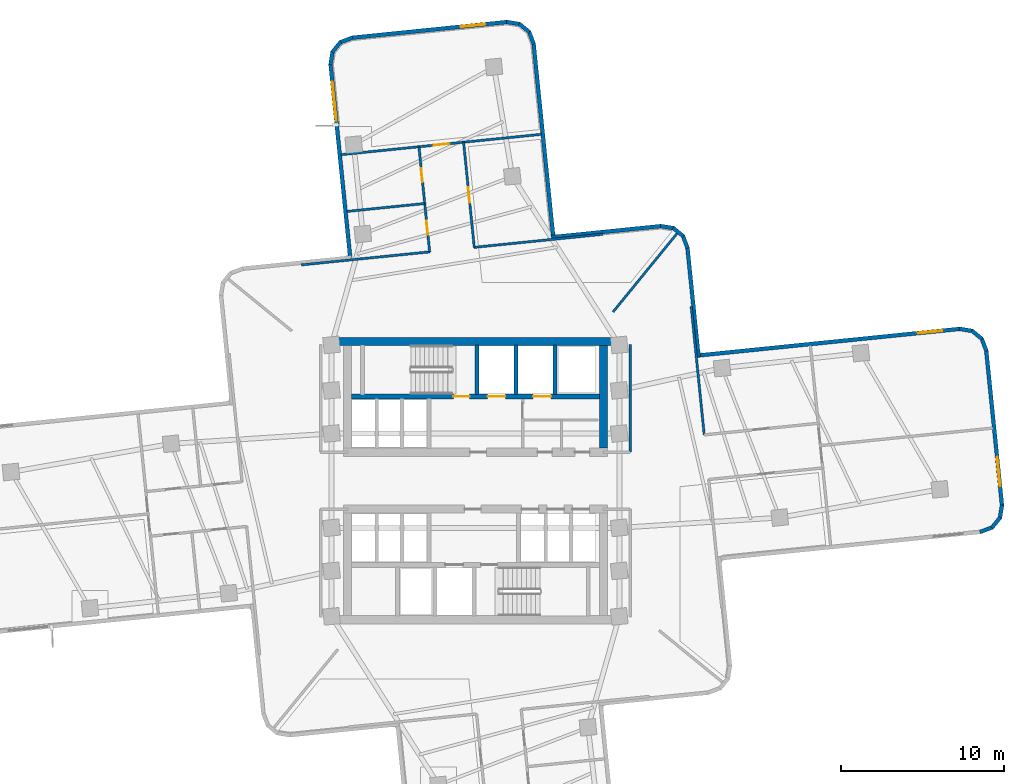
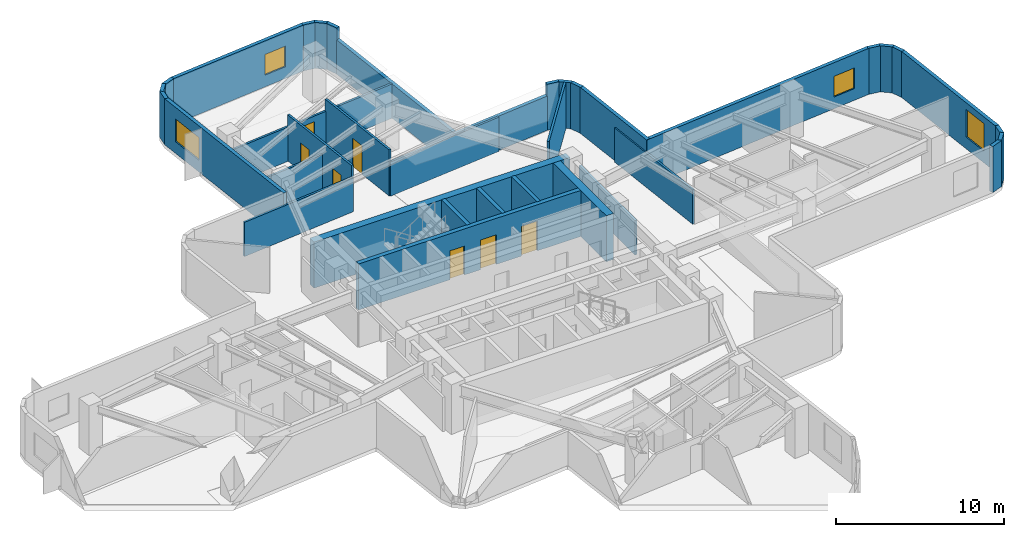
# One storey, part 5 of 9: 37 walls, 7 doors, 4 windows, 11 openings.
"""IFC4 building model written with IfcOpenShell, lengths in metres."""

from ifc_helpers import new_model, si_unit, direction, frame, frame_2d, origin, place, context, subcontext, project, spatial, rectangle, extrude, material, layer, layer_set, type_object, element, fill, save


model = new_model("IFC4")

# Units and contexts
model_context = context("Model", 3, precision=1e-05, world=origin(), true_north=direction((0.0, 1.0)))
body_context = subcontext(model_context, "Body", "Model", "MODEL_VIEW")
ifc_project = project(units=[si_unit("LENGTHUNIT", "METRE"), si_unit("AREAUNIT", "SQUARE_METRE"), si_unit("VOLUMEUNIT", "CUBIC_METRE"), si_unit("PLANEANGLEUNIT", "RADIAN"), si_unit("MASSUNIT", "GRAM", prefix="KILO")], contexts=[model_context])

# Site, building, storey
site_placement = place(None, origin())
site = spatial("IfcSite", under=ifc_project, at=site_placement, CompositionType="ELEMENT")
building_placement = place(site_placement, origin())
building = spatial("IfcBuilding", under=site, at=building_placement, Name="Solmarez Civic Tower", CompositionType="ELEMENT")
storey_placement = place(building_placement, frame((0.0, 0.0, 71.280029296875)))
storey = spatial("IfcBuildingStorey", under=building, at=storey_placement, Name="L18", CompositionType="ELEMENT", Elevation=71.280029296875)

# Walls
ifc_material_1 = material(Name="Concrete C60/75", Category="concrete")
ifc_layer_1 = layer(ifc_material_1, 0.5)
ifc_layer_set_1 = layer_set([ifc_layer_1], Name="Concrete C60/75")
wall_type_1 = type_object("IfcWallType", Name="WALL-CORE-500", PredefinedType="SHEAR", material=ifc_layer_set_1)
wall_1_placement = place(storey_placement, frame((-8.780029296875, 8.56005859375, 0.0), z_axis=(0.0, 0.0, 1.0), x_axis=(1.0, 0.0, 0.0)))
element("IfcWall", 1, at=wall_1_placement, inside=storey, type_object=wall_type_1, Name="L18 Split-Core Structural Wall NCW-N-L18", PredefinedType="SHEAR", context=body_context, shape_type="SweptSolid", body=[
    extrude(rectangle(XDim=17.56005859375, YDim=0.5, at=frame_2d((8.780029296875, 0.0))), origin(), (0.0, 0.0, 1.0), 3.340087890625),
])
wall_2_placement = place(storey_placement, frame((7.8701171875, 8.31005859375, 0.0), z_axis=(0.0, 0.0, 1.0), x_axis=(0.0, -1.0, 0.0)))
element("IfcWall", 2, at=wall_2_placement, inside=storey, type_object=wall_type_1, Name="L18 Split-Core Structural Wall NCW-E-L18", PredefinedType="SHEAR", context=body_context, shape_type="SweptSolid", body=[
    extrude(rectangle(XDim=6.31005859375, YDim=0.5, at=frame_2d((3.155029296875, 0.0))), origin(), (0.0, 0.0, 1.0), 3.340087890625),
])

# Wall, opening, window
ifc_material_2 = material(Name="Precast concrete C40/50", Category="concrete")
ifc_layer_2 = layer(ifc_material_2, 0.239990234375)
ifc_layer_set_2 = layer_set([ifc_layer_2], Name="Precast concrete C40/50")
wall_type_2 = type_object("IfcWallType", Name="WALL-EXT-240", PredefinedType="SOLIDWALL", material=ifc_layer_set_2)
wall_3_placement = place(storey_placement, frame((-7.696044921875, 13.6259765625, 0.0), z_axis=(0.0, 0.0, 1.0), x_axis=(-0.101115101, 0.994874733999, 0.0)))
wall_3 = element("IfcWall", 3, at=wall_3_placement, inside=storey, type_object=wall_type_2, Name="L18 Exterior Precast Wall 20", PredefinedType="SOLIDWALL", context=body_context, shape_type="SweptSolid", body=[
    extrude(rectangle(XDim=12.07470703125, YDim=0.239990234375, at=frame_2d((6.037353515625, 0.0))), origin(), (0.0, 0.0, 1.0), 3.340087890625),
])
opening_1_placement = place(wall_3_placement, frame((8.574951171875, 0.0, 0.85009765625)))
opening_1 = element("IfcOpeningElement", 4, at=opening_1_placement, cuts=wall_3, Name="Opening W-10", PredefinedType="OPENING", context=body_context, shape_type="SweptSolid", body=[
    extrude(rectangle(XDim=2.39990234375, YDim=1.64990234375, at=frame_2d((1.199951171875, 0.824951171875))), frame((0.0, 0.1298828125, 0.0), z_axis=(0.0, -1.0, 0.0), x_axis=(1.0, 0.0, 0.0)), (0.0, 0.0, 1.0), 0.260009765625),
])
ifc_material_3 = material(Name="Solar Control Bronze-Tinted Insulating Glass", Category="glass")
window_type_1 = type_object("IfcWindowType", Name="WIN-2400X1650", PartitioningType="SINGLE_PANEL", PredefinedType="WINDOW", material=ifc_material_3)
window_1_placement = place(opening_1_placement, origin())
window_1 = element("IfcWindow", 5, at=window_1_placement, inside=storey, type_object=window_type_1, Name="L18 Exterior Facade Window 20", OverallHeight=1.64990234375, OverallWidth=2.39990234375, PartitioningType="SINGLE_PANEL", PredefinedType="WINDOW", context=body_context, shape_type="SweptSolid", body=[
    extrude(rectangle(XDim=2.39990234375, YDim=1.64990234375, at=frame_2d((1.199951171875, 0.824951171875))), frame((0.0, 0.030029296875, 0.0), z_axis=(0.0, -1.0, 0.0), x_axis=(1.0, 0.0, 0.0)), (0.0, 0.0, 1.0), 0.06005859375),
])
fill(opening_1, window_1)

# Walls
wall_4_placement = place(storey_placement, frame((-8.91796875, 25.589111328125, 0.0), z_axis=(0.0, 0.0, 1.0), x_axis=(0.160017033906, 0.987114253195, 0.0)))
element("IfcWall", 6, at=wall_4_placement, inside=storey, type_object=wall_type_2, Name="L18 Exterior Precast Wall 21", PredefinedType="SOLIDWALL", context=body_context, shape_type="SweptSolid", body=[
    extrude(rectangle(XDim=0.83154296875, YDim=0.239990234375, at=frame_2d((0.415771484375, 0.0))), origin(), (0.0, 0.0, 1.0), 3.340087890625),
])
wall_5_placement = place(storey_placement, frame((-8.804931640625, 26.365966796875, 0.0), z_axis=(0.0, 0.0, 1.0), x_axis=(0.632027096542, 0.774946287969, 0.0)))
element("IfcWall", 7, at=wall_5_placement, inside=storey, type_object=wall_type_2, Name="L18 Exterior Precast Wall 22", PredefinedType="SOLIDWALL", context=body_context, shape_type="SweptSolid", body=[
    extrude(rectangle(XDim=0.813232421875, YDim=0.239990234375, at=frame_2d((0.40673828125, 0.0))), origin(), (0.0, 0.0, 1.0), 3.340087890625),
])
wall_6_placement = place(storey_placement, frame((-8.330078125, 26.968017578125, 0.0), z_axis=(0.0, 0.0, 1.0), x_axis=(0.934785533372, 0.355212621678, 0.0)))
element("IfcWall", 8, at=wall_6_placement, inside=storey, type_object=wall_type_2, Name="L18 Exterior Precast Wall 23", PredefinedType="SOLIDWALL", context=body_context, shape_type="SweptSolid", body=[
    extrude(rectangle(XDim=0.830322265625, YDim=0.239990234375, at=frame_2d((0.4150390625, 0.0))), origin(), (0.0, 0.0, 1.0), 3.340087890625),
])

# Wall, opening, window
wall_7_placement = place(storey_placement, frame((-7.60205078125, 27.2509765625, 0.0), z_axis=(0.0, 0.0, 1.0), x_axis=(0.994868664079, 0.101174805333, 0.0)))
wall_7 = element("IfcWall", 9, at=wall_7_placement, inside=storey, type_object=wall_type_2, Name="L18 Exterior Precast Wall 24", PredefinedType="SOLIDWALL", context=body_context, shape_type="SweptSolid", body=[
    extrude(rectangle(XDim=9.618408203125, YDim=0.239990234375, at=frame_2d((4.80908203125, 0.0))), origin(), (0.0, 0.0, 1.0), 3.340087890625),
])
opening_2_placement = place(wall_7_placement, frame((6.751953125, 0.0, 0.85009765625)))
opening_2 = element("IfcOpeningElement", 10, at=opening_2_placement, cuts=wall_7, Name="Opening W-14", PredefinedType="OPENING", context=body_context, shape_type="SweptSolid", body=[
    extrude(rectangle(XDim=1.5, YDim=1.5, at=frame_2d((0.75, 0.75))), frame((0.0, 0.1298828125, 0.0), z_axis=(0.0, -1.0, 0.0), x_axis=(1.0, 0.0, 0.0)), (0.0, 0.0, 1.0), 0.260009765625),
])
window_type_2 = type_object("IfcWindowType", Name="WIN-1500X1500", PartitioningType="SINGLE_PANEL", PredefinedType="WINDOW", material=ifc_material_3)
window_2_placement = place(opening_2_placement, origin())
window_2 = element("IfcWindow", 11, at=window_2_placement, inside=storey, type_object=window_type_2, Name="L18 Exterior Facade Window 24", OverallHeight=1.5, OverallWidth=1.5, PartitioningType="SINGLE_PANEL", PredefinedType="WINDOW", context=body_context, shape_type="SweptSolid", body=[
    extrude(rectangle(XDim=1.5, YDim=1.5, at=frame_2d((0.75, 0.75))), frame((0.0, 0.030029296875, 0.0), z_axis=(0.0, -1.0, 0.0), x_axis=(1.0, 0.0, 0.0)), (0.0, 0.0, 1.0), 0.06005859375),
])
fill(opening_2, window_2)

# Walls
wall_8_placement = place(storey_placement, frame((1.9169921875, 28.22509765625, 0.0), z_axis=(0.0, 0.0, 1.0), x_axis=(0.987091669755, -0.160156284613, 0.0)))
element("IfcWall", 12, at=wall_8_placement, inside=storey, type_object=wall_type_2, Name="L18 Exterior Precast Wall 25", PredefinedType="SOLIDWALL", context=body_context, shape_type="SweptSolid", body=[
    extrude(rectangle(XDim=0.830810546875, YDim=0.239990234375, at=frame_2d((0.41552734375, 0.0))), origin(), (0.0, 0.0, 1.0), 3.340087890625),
])
wall_9_placement = place(storey_placement, frame((2.693115234375, 28.112060546875, 0.0), z_axis=(0.0, 0.0, 1.0), x_axis=(0.774090961032, -0.633074390612, 0.0)))
element("IfcWall", 13, at=wall_9_placement, inside=storey, type_object=wall_type_2, Name="L18 Exterior Precast Wall 26", PredefinedType="SOLIDWALL", context=body_context, shape_type="SweptSolid", body=[
    extrude(rectangle(XDim=0.813720703125, YDim=0.239990234375, at=frame_2d((0.40673828125, 0.0))), origin(), (0.0, 0.0, 1.0), 3.340087890625),
])
wall_10_placement = place(storey_placement, frame((3.294921875, 27.635986328125, 0.0), z_axis=(0.0, 0.0, 1.0), x_axis=(0.356986424395, -0.934109572158, 0.0)))
element("IfcWall", 14, at=wall_10_placement, inside=storey, type_object=wall_type_2, Name="L18 Exterior Precast Wall 27", PredefinedType="SOLIDWALL", context=body_context, shape_type="SweptSolid", body=[
    extrude(rectangle(XDim=0.82958984375, YDim=0.239990234375, at=frame_2d((0.414794921875, 0.0))), origin(), (0.0, 0.0, 1.0), 3.340087890625),
])
wall_11_placement = place(storey_placement, frame((3.5791015625, 26.908935546875, 0.0), z_axis=(0.0, 0.0, 1.0), x_axis=(0.10110696579, -0.994875560796, 0.0)))
element("IfcWall", 15, at=wall_11_placement, inside=storey, type_object=wall_type_2, Name="L18 Exterior Precast Wall 28", PredefinedType="SOLIDWALL", context=body_context, shape_type="SweptSolid", body=[
    extrude(rectangle(XDim=12.07568359375, YDim=0.239990234375, at=frame_2d((6.037841796875, 0.0))), origin(), (0.0, 0.0, 1.0), 2.486083984375),
])
wall_12_placement = place(storey_placement, frame((4.694091796875, 14.98095703125, 0.0), z_axis=(0.0, 0.0, 1.0), x_axis=(0.994875719665, 0.101105402534, 0.0)))
element("IfcWall", 16, at=wall_12_placement, inside=storey, type_object=wall_type_2, Name="L18 Exterior Precast Wall 31", PredefinedType="SOLIDWALL", context=body_context, shape_type="SweptSolid", body=[
    extrude(rectangle(XDim=6.775634765625, YDim=0.239990234375, at=frame_2d((3.3876953125, 0.0))), origin(), (0.0, 0.0, 1.0), 2.486083984375),
])
wall_13_placement = place(storey_placement, frame((11.385009765625, 15.6669921875, 0.0), z_axis=(0.0, 0.0, 1.0), x_axis=(0.987091669755, -0.160156284613, 0.0)))
element("IfcWall", 17, at=wall_13_placement, inside=storey, type_object=wall_type_2, Name="L18 Exterior Precast Wall 32", PredefinedType="SOLIDWALL", context=body_context, shape_type="SweptSolid", body=[
    extrude(rectangle(XDim=0.830810546875, YDim=0.239990234375, at=frame_2d((0.41552734375, 0.0))), origin(), (0.0, 0.0, 1.0), 3.340087890625),
])
wall_14_placement = place(storey_placement, frame((12.160888671875, 15.553955078125, 0.0), z_axis=(0.0, 0.0, 1.0), x_axis=(0.774946287969, -0.632027096542, 0.0)))
element("IfcWall", 18, at=wall_14_placement, inside=storey, type_object=wall_type_2, Name="L18 Exterior Precast Wall 33", PredefinedType="SOLIDWALL", context=body_context, shape_type="SweptSolid", body=[
    extrude(rectangle(XDim=0.813232421875, YDim=0.239990234375, at=frame_2d((0.40673828125, 0.0))), origin(), (0.0, 0.0, 1.0), 3.340087890625),
])
wall_15_placement = place(storey_placement, frame((12.762939453125, 15.0791015625, 0.0), z_axis=(0.0, 0.0, 1.0), x_axis=(0.355469529522, -0.934687869602, 0.0)))
element("IfcWall", 19, at=wall_15_placement, inside=storey, type_object=wall_type_2, Name="L18 Exterior Precast Wall 34", PredefinedType="SOLIDWALL", context=body_context, shape_type="SweptSolid", body=[
    extrude(rectangle(XDim=0.830322265625, YDim=0.239990234375, at=frame_2d((0.4150390625, 0.0))), origin(), (0.0, 0.0, 1.0), 3.340087890625),
])
wall_16_placement = place(storey_placement, frame((13.0458984375, 14.35107421875, 0.0), z_axis=(0.0, 0.0, 1.0), x_axis=(0.101248053545, -0.994861212257, 0.0)))
element("IfcWall", 20, at=wall_16_placement, inside=storey, type_object=wall_type_2, Name="L18 Exterior Precast Wall 35", PredefinedType="SOLIDWALL", context=body_context, shape_type="SweptSolid", body=[
    extrude(rectangle(XDim=6.77587890625, YDim=0.239990234375, at=frame_2d((3.387939453125, 0.0))), origin(), (0.0, 0.0, 1.0), 3.340087890625),
])

# Wall, opening, window
wall_17_placement = place(storey_placement, frame((13.6259765625, 7.696044921875, 0.0), z_axis=(0.0, 0.0, 1.0), x_axis=(0.994872930989, 0.101132839298, 0.0)))
wall_17 = element("IfcWall", 21, at=wall_17_placement, inside=storey, type_object=wall_type_2, Name="L18 Exterior Precast Wall 38", PredefinedType="SOLIDWALL", context=body_context, shape_type="SweptSolid", body=[
    extrude(rectangle(XDim=16.275634765625, YDim=0.239990234375, at=frame_2d((8.1376953125, 0.0))), origin(), (0.0, 0.0, 1.0), 3.340087890625),
])
opening_3_placement = place(wall_17_placement, frame((13.675048828125, 0.0, 0.85009765625)))
opening_3 = element("IfcOpeningElement", 22, at=opening_3_placement, cuts=wall_17, Name="Opening W-14", PredefinedType="OPENING", context=body_context, shape_type="SweptSolid", body=[
    extrude(rectangle(XDim=1.5, YDim=1.5, at=frame_2d((0.75, 0.75))), frame((0.0, 0.1298828125, 0.0), z_axis=(0.0, -1.0, 0.0), x_axis=(1.0, 0.0, 0.0)), (0.0, 0.0, 1.0), 0.260009765625),
])
window_3_placement = place(opening_3_placement, origin())
window_3 = element("IfcWindow", 23, at=window_3_placement, inside=storey, type_object=window_type_2, Name="L18 Exterior Facade Window 38", OverallHeight=1.5, OverallWidth=1.5, PartitioningType="SINGLE_PANEL", PredefinedType="WINDOW", context=body_context, shape_type="SweptSolid", body=[
    extrude(rectangle(XDim=1.5, YDim=1.5, at=frame_2d((0.75, 0.75))), frame((0.0, 0.030029296875, 0.0), z_axis=(0.0, -1.0, 0.0), x_axis=(1.0, 0.0, 0.0)), (0.0, 0.0, 1.0), 0.06005859375),
])
fill(opening_3, window_3)

# Walls
wall_18_placement = place(storey_placement, frame((29.76806640625, 9.343017578125, 0.0), z_axis=(0.0, 0.0, 1.0), x_axis=(0.987084128833, -0.160202754679, 0.0)))
element("IfcWall", 24, at=wall_18_placement, inside=storey, type_object=wall_type_2, Name="L18 Exterior Precast Wall 39", PredefinedType="SOLIDWALL", context=body_context, shape_type="SweptSolid", body=[
    extrude(rectangle(XDim=0.83056640625, YDim=0.239990234375, at=frame_2d((0.415283203125, 0.0))), origin(), (0.0, 0.0, 1.0), 3.340087890625),
])
wall_19_placement = place(storey_placement, frame((30.5439453125, 9.22998046875, 0.0), z_axis=(0.0, 0.0, 1.0), x_axis=(0.774358164226, -0.632747527452, 0.0)))
element("IfcWall", 25, at=wall_19_placement, inside=storey, type_object=wall_type_2, Name="L18 Exterior Precast Wall 40", PredefinedType="SOLIDWALL", context=body_context, shape_type="SweptSolid", body=[
    extrude(rectangle(XDim=0.813720703125, YDim=0.239990234375, at=frame_2d((0.40673828125, 0.0))), origin(), (0.0, 0.0, 1.0), 3.340087890625),
])
wall_20_placement = place(storey_placement, frame((31.14599609375, 8.75390625, 0.0), z_axis=(0.0, 0.0, 1.0), x_axis=(0.355701438235, -0.934599639866, 0.0)))
element("IfcWall", 26, at=wall_20_placement, inside=storey, type_object=wall_type_2, Name="L18 Exterior Precast Wall 41", PredefinedType="SOLIDWALL", context=body_context, shape_type="SweptSolid", body=[
    extrude(rectangle(XDim=0.8291015625, YDim=0.239990234375, at=frame_2d((0.41455078125, 0.0))), origin(), (0.0, 0.0, 1.0), 3.340087890625),
])

# Wall, opening, window
wall_21_placement = place(storey_placement, frame((31.428955078125, 8.027099609375, 0.0), z_axis=(0.0, 0.0, 1.0), x_axis=(0.101164586776, -0.994869703219, 0.0)))
wall_21 = element("IfcWall", 27, at=wall_21_placement, inside=storey, type_object=wall_type_2, Name="L18 Exterior Precast Wall 42", PredefinedType="SOLIDWALL", context=body_context, shape_type="SweptSolid", body=[
    extrude(rectangle(XDim=9.619384765625, YDim=0.239990234375, at=frame_2d((4.8095703125, 0.0))), origin(), (0.0, 0.0, 1.0), 3.340087890625),
])
opening_4_placement = place(wall_21_placement, frame((6.60302734375, 0.0, 0.85009765625)))
opening_4 = element("IfcOpeningElement", 28, at=opening_4_placement, cuts=wall_21, Name="Opening W-04", PredefinedType="OPENING", context=body_context, shape_type="SweptSolid", body=[
    extrude(rectangle(XDim=1.800048828125, YDim=2.0, at=frame_2d((0.89990234375, 1.0))), frame((0.0, 0.1298828125, 0.0), z_axis=(0.0, -1.0, 0.0), x_axis=(1.0, 0.0, 0.0)), (0.0, 0.0, 1.0), 0.260009765625),
])
window_type_3 = type_object("IfcWindowType", Name="WIN-1800X2000", PartitioningType="SINGLE_PANEL", PredefinedType="WINDOW", material=ifc_material_3)
window_4_placement = place(opening_4_placement, origin())
window_4 = element("IfcWindow", 29, at=window_4_placement, inside=storey, type_object=window_type_3, Name="L18 Exterior Facade Window 42", OverallHeight=2.0, OverallWidth=1.800048828125, PartitioningType="SINGLE_PANEL", PredefinedType="WINDOW", context=body_context, shape_type="SweptSolid", body=[
    extrude(rectangle(XDim=1.800048828125, YDim=2.0, at=frame_2d((0.89990234375, 1.0))), frame((0.0, 0.030029296875, 0.0), z_axis=(0.0, -1.0, 0.0), x_axis=(1.0, 0.0, 0.0)), (0.0, 0.0, 1.0), 0.06005859375),
])
fill(opening_4, window_4)

# Walls
wall_22_placement = place(storey_placement, frame((32.403076171875, -1.492919921875, 0.0), z_axis=(0.0, 0.0, 1.0), x_axis=(-0.160156284613, -0.987091669755, 0.0)))
element("IfcWall", 30, at=wall_22_placement, inside=storey, type_object=wall_type_2, Name="L18 Exterior Precast Wall 43", PredefinedType="SOLIDWALL", context=body_context, shape_type="SweptSolid", body=[
    extrude(rectangle(XDim=0.830810546875, YDim=0.239990234375, at=frame_2d((0.41552734375, 0.0))), origin(), (0.0, 0.0, 1.0), 3.340087890625),
])
wall_23_placement = place(storey_placement, frame((32.2900390625, -2.26904296875, 0.0), z_axis=(0.0, 0.0, 1.0), x_axis=(-0.632354425822, -0.774679211121, 0.0)))
element("IfcWall", 31, at=wall_23_placement, inside=storey, type_object=wall_type_2, Name="L18 Exterior Precast Wall 44", PredefinedType="SOLIDWALL", context=body_context, shape_type="SweptSolid", body=[
    extrude(rectangle(XDim=0.81298828125, YDim=0.239990234375, at=frame_2d((0.406494140625, 0.0))), origin(), (0.0, 0.0, 1.0), 3.340087890625),
])
wall_24_placement = place(storey_placement, frame((31.81494140625, -2.87109375, 0.0), z_axis=(0.0, 0.0, 1.0), x_axis=(-0.934748415991, -0.355310285248, 0.0)))
element("IfcWall", 32, at=wall_24_placement, inside=storey, type_object=wall_type_2, Name="L18 Exterior Precast Wall 45", PredefinedType="SOLIDWALL", context=body_context, shape_type="SweptSolid", body=[
    extrude(rectangle(XDim=0.830078125, YDim=0.239990234375, at=frame_2d((0.4150390625, 0.0))), origin(), (0.0, 0.0, 1.0), 3.340087890625),
])
ifc_material_4 = material(Name="Gypsum Board Acoustic Steel-Stud Partition", Category="steel")
ifc_layer_3 = layer(ifc_material_4, 0.14990234375)
ifc_layer_set_3 = layer_set([ifc_layer_3], Name="Gypsum Board Acoustic Steel-Stud Partition")
wall_type_3 = type_object("IfcWallType", Name="WALL-INT-FIRE-150", PredefinedType="PARTITIONING", material=ifc_layer_set_3)
wall_25_placement = place(storey_placement, frame((9.52001953125, 1.75, 0.0), z_axis=(0.0, 0.0, 1.0), x_axis=(0.0, 1.0, 0.0)))
element("IfcWall", 33, at=wall_25_placement, inside=storey, type_object=wall_type_3, Name="L18 Interior Partition CHW-L18-EN1", PredefinedType="PARTITIONING", context=body_context, shape_type="SweptSolid", body=[
    extrude(rectangle(XDim=6.6298828125, YDim=0.14990234375, at=frame_2d((3.31494140625, 0.0))), origin(), (0.0, 0.0, 1.0), 2.486083984375),
])
ifc_layer_4 = layer(ifc_material_4, 0.14501953125)
ifc_layer_set_4 = layer_set([ifc_layer_4], Name="Gypsum Board Acoustic Steel-Stud Partition")
wall_type_4 = type_object("IfcWallType", Name="WALL-INT-PART-150", PredefinedType="PARTITIONING", material=ifc_layer_set_4)
wall_26_placement = place(storey_placement, frame((8.466064453125, 10.3798828125, 0.0), z_axis=(0.0, 0.0, 1.0), x_axis=(0.631992375104, 0.774974604623, 0.0)))
element("IfcWall", 34, at=wall_26_placement, inside=storey, type_object=wall_type_4, Name="L18 Interior Partition PT-L18-QDIV-1", PredefinedType="PARTITIONING", context=body_context, shape_type="SweptSolid", body=[
    extrude(rectangle(XDim=6.259765625, YDim=0.14501953125, at=frame_2d((3.1298828125, 0.0))), origin(), (0.0, 0.0, 1.0), 3.340087890625),
])
for number, where, z_axis, x_axis, name in (
    (35, (14.077880859375, 2.806884765625, 0.0), (0.0, 0.0, 1.0), (-0.100884076592, 0.994898187299, 0.0), "L18 Interior Partition PT-L18-E-EFL"),
    (36, (-2.806884765625, 14.077880859375, 0.0), (0.0, 0.0, 1.0), (-0.994898187299, -0.100884076592, 0.0), "L18 Interior Partition PT-L18-N-EFL"),
    (37, (7.827880859375, 15.158935546875, 0.0), (0.0, 0.0, 1.0), (-0.994873184944, -0.101130341041, 0.0), "L18 Interior Partition PT-L18-N-EFR"),
):
    element("IfcWall", number, at=place(storey_placement, frame(where, z_axis=z_axis, x_axis=x_axis)), inside=storey, type_object=wall_type_4, Name=name, PredefinedType="PARTITIONING", context=body_context, shape_type="SweptSolid", body=[
        extrude(rectangle(XDim=7.94970703125, YDim=0.14501953125, at=frame_2d((3.974853515625, 0.0))), origin(), (0.0, 0.0, 1.0), 2.486083984375),
    ])
wall_27_placement = place(storey_placement, frame((-3.138916015625, 17.050048828125, 0.0), z_axis=(0.0, 0.0, 1.0), x_axis=(-0.994870487333, -0.101156875362, 0.0)))
element("IfcWall", 38, at=wall_27_placement, inside=storey, type_object=wall_type_4, Name="L18 Interior Partition PT-L18-N-LM", PredefinedType="PARTITIONING", context=body_context, shape_type="SweptSolid", body=[
    extrude(rectangle(XDim=4.795654296875, YDim=0.14501953125, at=frame_2d((2.39794921875, 0.0))), origin(), (0.0, 0.0, 1.0), 2.486083984375),
])

# Wall, openings, doors
wall_28_placement = place(storey_placement, frame((-3.47412109375, 20.5439453125, 0.0), z_axis=(0.0, 0.0, 1.0), x_axis=(0.101106315361, -0.994875626897, 0.0)))
wall_28 = element("IfcWall", 39, at=wall_28_placement, inside=storey, type_object=wall_type_4, Name="L18 Interior Partition PT-L18-N-SL", PredefinedType="PARTITIONING", context=body_context, shape_type="SweptSolid", body=[
    extrude(rectangle(XDim=6.500244140625, YDim=0.14501953125, at=frame_2d((3.25, 0.0))), origin(), (0.0, 0.0, 1.0), 3.340087890625),
])
opening_5_placement = place(wall_28_placement, frame((4.574951171875, 0.0, 0.0)))
opening_5 = element("IfcOpeningElement", 40, at=opening_5_placement, cuts=wall_28, Name="Opening D-14", PredefinedType="OPENING", context=body_context, shape_type="SweptSolid", body=[
    extrude(rectangle(XDim=0.860107421875, YDim=2.0400390625, at=frame_2d((0.43017578125, 1.02001953125))), frame((0.0, 0.08251953125, 0.0), z_axis=(0.0, -1.0, 0.0), x_axis=(1.0, 0.0, 0.0)), (0.0, 0.0, 1.0), 0.1650390625),
])
opening_6_placement = place(wall_28_placement, frame((1.324951171875, 0.0, 0.0)))
opening_6 = element("IfcOpeningElement", 41, at=opening_6_placement, cuts=wall_28, Name="Opening D-14", PredefinedType="OPENING", context=body_context, shape_type="SweptSolid", body=[
    extrude(rectangle(XDim=0.860107421875, YDim=2.0400390625, at=frame_2d((0.43017578125, 1.02001953125))), frame((0.0, 0.08251953125, 0.0), z_axis=(0.0, -1.0, 0.0), x_axis=(1.0, 0.0, 0.0)), (0.0, 0.0, 1.0), 0.1650390625),
])
ifc_material_5 = material(Name="Timber Storage and Pantry Door", Category="wood")
door_type_1 = type_object("IfcDoorType", Name="DOOR-INT-850", OperationType="NOTDEFINED", PredefinedType="DOOR", material=ifc_material_5)
door_1_placement = place(opening_5_placement, origin())
door_1 = element("IfcDoor", 42, at=door_1_placement, inside=storey, type_object=door_type_1, Name="L18 Breakout Huddle Room First North Door", OperationType="SINGLE_SWING_LEFT", OverallHeight=2.0400390625, OverallWidth=0.860107421875, PredefinedType="DOOR", context=body_context, shape_type="SweptSolid", body=[
    extrude(rectangle(XDim=0.860107421875, YDim=2.0400390625, at=frame_2d((0.43017578125, 1.02001953125))), frame((0.0, 0.02490234375, 0.0), z_axis=(0.0, -1.0, 0.0), x_axis=(1.0, 0.0, 0.0)), (0.0, 0.0, 1.0), 0.050048828125),
])
fill(opening_5, door_1)
door_2_placement = place(opening_6_placement, origin())
door_2 = element("IfcDoor", 43, at=door_2_placement, inside=storey, type_object=door_type_1, Name="L18 Municipal Mailroom Second North Door", OperationType="SINGLE_SWING_RIGHT", OverallHeight=2.0400390625, OverallWidth=0.860107421875, PredefinedType="DOOR", context=body_context, shape_type="SweptSolid", body=[
    extrude(rectangle(XDim=0.860107421875, YDim=2.0400390625, at=frame_2d((0.43017578125, 1.02001953125))), frame((0.0, 0.02490234375, 0.0), z_axis=(0.0, -1.0, 0.0), x_axis=(1.0, 0.0, 0.0)), (0.0, 0.0, 1.0), 0.050048828125),
])
fill(opening_6, door_2)

# Wall, opening, door
wall_29_placement = place(storey_placement, frame((-0.071044921875, 14.35595703125, 0.0), z_axis=(0.0, 0.0, 1.0), x_axis=(-0.10106914102, 0.994879404116, 0.0)))
wall_29 = element("IfcWall", 44, at=wall_29_placement, inside=storey, type_object=wall_type_4, Name="L18 Interior Partition PT-L18-N-SR", PredefinedType="PARTITIONING", context=body_context, shape_type="SweptSolid", body=[
    extrude(rectangle(XDim=6.500244140625, YDim=0.14501953125, at=frame_2d((3.25, 0.0))), origin(), (0.0, 0.0, 1.0), 3.340087890625),
])
opening_7_placement = place(wall_29_placement, frame((2.77001953125, 0.0, 0.0)))
opening_7 = element("IfcOpeningElement", 45, at=opening_7_placement, cuts=wall_29, Name="Opening D-10", PredefinedType="OPENING", context=body_context, shape_type="SweptSolid", body=[
    extrude(rectangle(XDim=0.949951171875, YDim=2.080078125, at=frame_2d((0.47509765625, 1.0400390625))), frame((0.0, 0.08251953125, 0.0), z_axis=(0.0, -1.0, 0.0), x_axis=(1.0, 0.0, 0.0)), (0.0, 0.0, 1.0), 0.1650390625),
])
ifc_material_6 = material(Name="Solid-Core Timber Ministry Office Door", Category="wood")
door_type_2 = type_object("IfcDoorType", Name="DOOR-INT-950", OperationType="NOTDEFINED", PredefinedType="DOOR", material=ifc_material_6)
door_3_placement = place(opening_7_placement, origin())
door_3 = element("IfcDoor", 46, at=door_3_placement, inside=storey, type_object=door_type_2, Name="L18 Staff Tea Pantry Third North Door", OperationType="SINGLE_SWING_RIGHT", OverallHeight=2.080078125, OverallWidth=0.949951171875, PredefinedType="DOOR", context=body_context, shape_type="SweptSolid", body=[
    extrude(rectangle(XDim=0.949951171875, YDim=2.080078125, at=frame_2d((0.47509765625, 1.0400390625))), frame((0.0, 0.02490234375, 0.0), z_axis=(0.0, -1.0, 0.0), x_axis=(1.0, 0.0, 0.0)), (0.0, 0.0, 1.0), 0.050048828125),
])
fill(opening_7, door_3)

wall_30_placement = place(storey_placement, frame((-8.263916015625, 20.05810546875, 0.0), z_axis=(0.0, 0.0, 1.0), x_axis=(0.994881268395, 0.101050788209, 0.0)))
wall_30 = element("IfcWall", 47, at=wall_30_placement, inside=storey, type_object=wall_type_4, Name="L18 Interior Partition PT-L18-N-END", PredefinedType="PARTITIONING", context=body_context, shape_type="SweptSolid", body=[
    extrude(rectangle(XDim=12.389404296875, YDim=0.14501953125, at=frame_2d((6.19482421875, 0.0))), origin(), (0.0, 0.0, 1.0), 2.486083984375),
])
opening_8_placement = place(wall_30_placement, frame((5.719970703125, 0.0, 0.0)))
opening_8 = element("IfcOpeningElement", 48, at=opening_8_placement, cuts=wall_30, Name="Opening D-10", PredefinedType="OPENING", context=body_context, shape_type="SweptSolid", body=[
    extrude(rectangle(XDim=0.949951171875, YDim=2.080078125, at=frame_2d((0.47509765625, 1.0400390625))), frame((0.0, 0.08251953125, 0.0), z_axis=(0.0, -1.0, 0.0), x_axis=(1.0, 0.0, 0.0)), (0.0, 0.0, 1.0), 0.1650390625),
])
door_4_placement = place(opening_8_placement, origin())
door_4 = element("IfcDoor", 49, at=door_4_placement, inside=storey, type_object=door_type_2, Name="L18 Staff Tea Pantry Fifth North Door", OperationType="SINGLE_SWING_LEFT", OverallHeight=2.080078125, OverallWidth=0.949951171875, PredefinedType="DOOR", context=body_context, shape_type="SweptSolid", body=[
    extrude(rectangle(XDim=0.949951171875, YDim=2.080078125, at=frame_2d((0.47509765625, 1.0400390625))), frame((0.0, 0.02490234375, 0.0), z_axis=(0.0, -1.0, 0.0), x_axis=(1.0, 0.0, 0.0)), (0.0, 0.0, 1.0), 0.050048828125),
])
fill(opening_8, door_4)

# Wall, openings, doors
ifc_material_7 = material(Name="Concrete C50/60", Category="concrete")
ifc_layer_5 = layer(ifc_material_7, 0.300048828125)
ifc_layer_set_5 = layer_set([ifc_layer_5], Name="Concrete C50/60")
wall_type_5 = type_object("IfcWallType", Name="WALL-STR-300", PredefinedType="SOLIDWALL", material=ifc_layer_set_5)
wall_31_placement = place(storey_placement, frame((7.6201171875, 5.179931640625, 0.0), z_axis=(0.0, 0.0, 1.0), x_axis=(-1.0, 0.0, 0.0)))
wall_31 = element("IfcWall", 50, at=wall_31_placement, inside=storey, type_object=wall_type_5, Name="L18 Split-Core Structural Wall NCW-M-L18", PredefinedType="SOLIDWALL", context=body_context, shape_type="SweptSolid", body=[
    extrude(rectangle(XDim=15.240234375, YDim=0.300048828125, at=frame_2d((7.6201171875, 0.0))), origin(), (0.0, 0.0, 1.0), 3.340087890625),
])
opening_9_placement = place(wall_31_placement, frame((5.77001953125, 0.0, 0.0)))
opening_9 = element("IfcOpeningElement", 51, at=opening_9_placement, cuts=wall_31, Name="Opening LD-02", PredefinedType="OPENING", context=body_context, shape_type="SweptSolid", body=[
    extrude(rectangle(XDim=1.10009765625, YDim=2.14990234375, at=frame_2d((0.550048828125, 1.074951171875))), frame((0.0, 0.159912109375, 0.0), z_axis=(0.0, -1.0, 0.0), x_axis=(1.0, 0.0, 0.0)), (0.0, 0.0, 1.0), 0.320068359375),
])
opening_10_placement = place(wall_31_placement, frame((2.969970703125, 0.0, 0.0)))
opening_10 = element("IfcOpeningElement", 52, at=opening_10_placement, cuts=wall_31, Name="Opening LD-03", PredefinedType="OPENING", context=body_context, shape_type="SweptSolid", body=[
    extrude(rectangle(XDim=1.10009765625, YDim=2.14990234375, at=frame_2d((0.550048828125, 1.074951171875))), frame((0.0, 0.159912109375, 0.0), z_axis=(0.0, -1.0, 0.0), x_axis=(1.0, 0.0, 0.0)), (0.0, 0.0, 1.0), 0.320068359375),
])
opening_11_placement = place(wall_31_placement, frame((7.969970703125, 0.0, 0.0)))
opening_11 = element("IfcOpeningElement", 53, at=opening_11_placement, cuts=wall_31, Name="Opening D-05", PredefinedType="OPENING", context=body_context, shape_type="SweptSolid", body=[
    extrude(rectangle(XDim=1.0, YDim=2.10009765625, at=frame_2d((0.5, 1.050048828125))), frame((0.0, 0.159912109375, 0.0), z_axis=(0.0, -1.0, 0.0), x_axis=(1.0, 0.0, 0.0)), (0.0, 0.0, 1.0), 0.320068359375),
])
ifc_material_8 = material(Name="Fire-Rated Stairwell Exit Door", Category="wood")
door_type_3 = type_object("IfcDoorType", Name="DOOR-FD90-1000", OperationType="NOTDEFINED", PredefinedType="DOOR", material=ifc_material_8)
door_5_placement = place(opening_11_placement, origin())
door_5 = element("IfcDoor", 54, at=door_5_placement, inside=storey, type_object=door_type_3, Name="L18 North Exit Stair Door ST-1", OperationType="SINGLE_SWING_LEFT", OverallHeight=2.10009765625, OverallWidth=1.0, PredefinedType="DOOR", context=body_context, shape_type="SweptSolid", body=[
    extrude(rectangle(XDim=1.0, YDim=2.10009765625, at=frame_2d((0.5, 1.050048828125))), frame((0.0, 0.02490234375, 0.0), z_axis=(0.0, -1.0, 0.0), x_axis=(1.0, 0.0, 0.0)), (0.0, 0.0, 1.0), 0.050048828125),
])
fill(opening_11, door_5)
ifc_material_9 = material(Name="Stainless Firefighting Lift Landing Sliding Door", Category="aluminium")
door_type_4 = type_object("IfcDoorType", Name="DOOR-LD-FF-1100", OperationType="DOUBLE_DOOR_SLIDING", PredefinedType="DOOR", material=ifc_material_9)
door_6_placement = place(opening_9_placement, origin())
door_6 = element("IfcDoor", 55, at=door_6_placement, inside=storey, type_object=door_type_4, Name="L18 Firefighting Lift Landing Door FFL-1", OperationType="DOUBLE_DOOR_SLIDING", OverallHeight=2.14990234375, OverallWidth=1.10009765625, PredefinedType="DOOR", context=body_context, shape_type="SweptSolid", body=[
    extrude(rectangle(XDim=1.10009765625, YDim=2.14990234375, at=frame_2d((0.550048828125, 1.074951171875))), frame((0.0, 0.02490234375, 0.0), z_axis=(0.0, -1.0, 0.0), x_axis=(1.0, 0.0, 0.0)), (0.0, 0.0, 1.0), 0.050048828125),
])
fill(opening_9, door_6)
ifc_material_10 = material(Name="Stainless Stretcher Lift Landing Sliding Door", Category="aluminium")
door_type_5 = type_object("IfcDoorType", Name="DOOR-LD-SV-1100", OperationType="DOUBLE_DOOR_SLIDING", PredefinedType="DOOR", material=ifc_material_10)
door_7_placement = place(opening_10_placement, origin())
door_7 = element("IfcDoor", 56, at=door_7_placement, inside=storey, type_object=door_type_5, Name="L18 Service Stretcher Lift Landing Door SVL-1", OperationType="DOUBLE_DOOR_SLIDING", OverallHeight=2.14990234375, OverallWidth=1.10009765625, PredefinedType="DOOR", context=body_context, shape_type="SweptSolid", body=[
    extrude(rectangle(XDim=1.10009765625, YDim=2.14990234375, at=frame_2d((0.550048828125, 1.074951171875))), frame((0.0, 0.02490234375, 0.0), z_axis=(0.0, -1.0, 0.0), x_axis=(1.0, 0.0, 0.0)), (0.0, 0.0, 1.0), 0.050048828125),
])
fill(opening_10, door_7)

# Walls
for number, where, z_axis, x_axis, name in (
    (57, (0.10009765625, 5.300048828125, 0.0), (0.0, 0.0, 1.0), (0.0, 1.0, 0.0), "L18 Split-Core Structural Wall SHW-N1-L18"),
    (58, (2.5, 5.300048828125, 0.0), (0.0, 0.0, 1.0), (0.0, 1.0, 0.0), "L18 Split-Core Structural Wall SHW-N2-L18"),
    (59, (4.89990234375, 5.300048828125, 0.0), (0.0, 0.0, 1.0), (0.0, 1.0, 0.0), "L18 Split-Core Structural Wall SHW-N3-L18"),
):
    element("IfcWall", number, at=place(storey_placement, frame(where, z_axis=z_axis, x_axis=x_axis)), inside=storey, type_object=wall_type_5, Name=name, PredefinedType="SOLIDWALL", context=body_context, shape_type="SweptSolid", body=[
        extrude(rectangle(XDim=3.0400390625, YDim=0.25, at=frame_2d((1.52001953125, 0.0))), origin(), (0.0, 0.0, 1.0), 3.340087890625),
    ])

save(model, "model.ifc")
